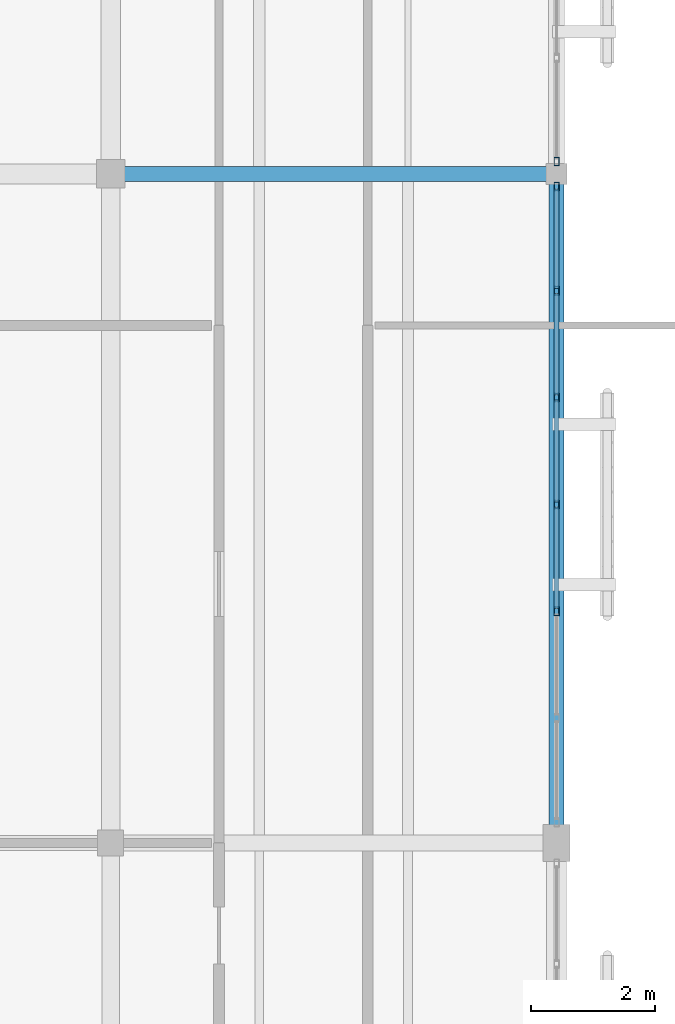
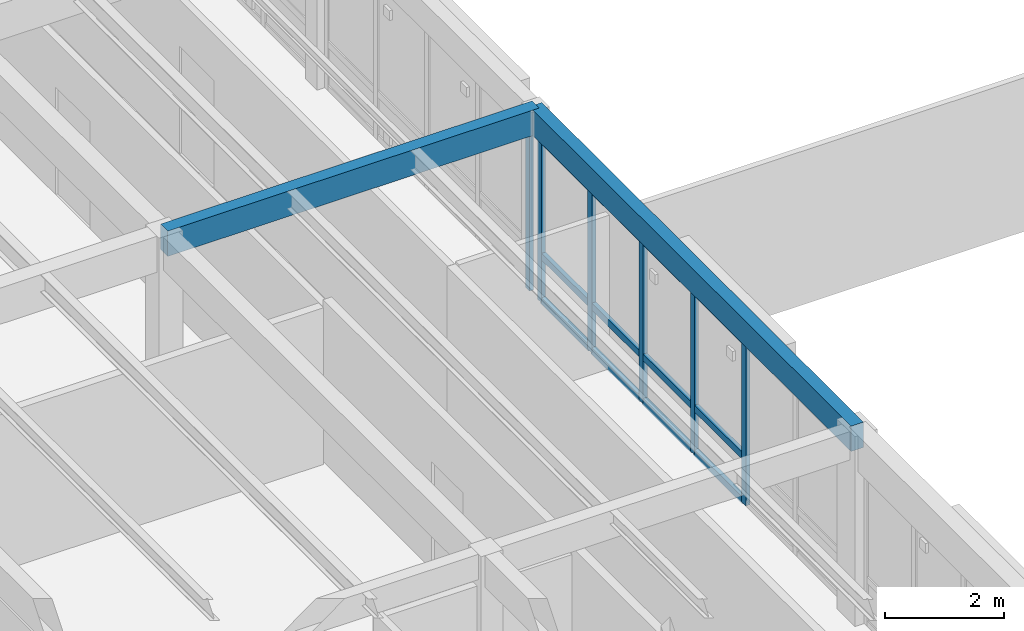
# One storey, part 30 of 217: 18 members, 2 beams, 2 elements without a shape of their own.
"""IFC4 building model written with IfcOpenShell, lengths in metres."""

from ifc_helpers import new_model, si_unit, direction, frame, origin, origin_2d, place, context, subcontext, project, spatial, rectangle, hollow_rectangle, extrude, material, layer, layer_set, material_profile, profile_set, type_object, element, aggregate, save


model = new_model("IFC4")

# Units and contexts
model_context = context("Model", 3, precision=1e-05, world=origin(), true_north=direction((0.0, 1.0)))
body_context = subcontext(model_context, "Body", "Model", "MODEL_VIEW")
ifc_project = project(units=[si_unit("LENGTHUNIT", "METRE"), si_unit("AREAUNIT", "SQUARE_METRE"), si_unit("VOLUMEUNIT", "CUBIC_METRE"), si_unit("PLANEANGLEUNIT", "RADIAN"), si_unit("MASSUNIT", "GRAM", prefix="KILO")], contexts=[model_context])

# Site, building, storey
site_placement = place(None, origin())
site = spatial("IfcSite", under=ifc_project, at=site_placement, CompositionType="ELEMENT")
building_placement = place(site_placement, origin())
building = spatial("IfcBuilding", under=site, at=building_placement, Name="Mazaris Harbour Polytechnic", CompositionType="ELEMENT")
storey_placement = place(building_placement, frame((0.0, 0.0, 9.60009765625)))
storey = spatial("IfcBuildingStorey", under=building, at=storey_placement, Name="L02", CompositionType="ELEMENT", Elevation=9.60009765625)

# Curtain wall, members
ifc_material_1 = material(Name="Anodised Bronze Aluminium and Low-E Glass", Category="aluminium")
ifc_layer = layer(ifc_material_1, 0.159912109375, Name="Anodised Bronze Aluminium and Low-E Glass")
ifc_layer_set = layer_set([ifc_layer], Name="Anodised Bronze Aluminium and Low-E Glass")
curtain_wall_type = type_object("IfcCurtainWallType", Name="Cloister Court Curtain Wall", PredefinedType="NOTDEFINED", material=ifc_layer_set)
curtain_wall_1_placement = place(storey_placement, origin())
curtain_wall_1 = element("IfcCurtainWall", 1, at=curtain_wall_1_placement, inside=storey, type_object=curtain_wall_type, Name="V4 L02 Curtain Wall 138", PredefinedType="NOTDEFINED")
ifc_material_2 = material(Name="Anodised Bronze Steel S355", Category="steel")
ifc_material_profile_1 = material_profile(ifc_material_2, hollow_rectangle(XDim=0.080078125, YDim=0.139892578125, WallThickness=0.00634765625, at=origin_2d()), Name="RHS 80x140x6.3")
ifc_profile_set_1 = profile_set([ifc_material_profile_1], Name="Anodised Bronze Steel S355")
member_type_1 = type_object("IfcMemberType", Name="Curtain Mullion RHS80x140", PredefinedType="MULLION", material=ifc_profile_set_1)
member_1_placement = place(storey_placement, frame((14.39990234375, 46.940673828125, 0.0), z_axis=(0.0, 0.0, 1.0), x_axis=(-1.0, 0.0, 0.0)))
member_1 = element("IfcMember", 2, at=member_1_placement, type_object=member_type_1, Name="CW-02 mullion 3", PredefinedType="MULLION", context=body_context, shape_type="SweptSolid", body=[
    extrude(hollow_rectangle(XDim=0.080078125, YDim=0.139892578125, WallThickness=0.00634765625, at=origin_2d()), origin(), (0.0, 0.0, 1.0), 3.35986328125),
])
member_2_placement = place(storey_placement, frame((14.39990234375, 48.6650390625, 0.0), z_axis=(0.0, 0.0, 1.0), x_axis=(-1.0, 0.0, 0.0)))
member_2 = element("IfcMember", 3, at=member_2_placement, type_object=member_type_1, Name="CW-02 mullion 4", PredefinedType="MULLION", context=body_context, shape_type="SweptSolid", body=[
    extrude(hollow_rectangle(XDim=0.080078125, YDim=0.139892578125, WallThickness=0.00634765625, at=origin_2d()), origin(), (0.0, 0.0, 1.0), 3.35986328125),
])
member_3_placement = place(storey_placement, frame((14.39990234375, 50.389404296875, 0.0), z_axis=(0.0, 0.0, 1.0), x_axis=(-1.0, 0.0, 0.0)))
member_3 = element("IfcMember", 4, at=member_3_placement, type_object=member_type_1, Name="CW-02 mullion 5", PredefinedType="MULLION", context=body_context, shape_type="SweptSolid", body=[
    extrude(hollow_rectangle(XDim=0.080078125, YDim=0.139892578125, WallThickness=0.00634765625, at=origin_2d()), origin(), (0.0, 0.0, 1.0), 3.35986328125),
])
member_4_placement = place(storey_placement, frame((14.39990234375, 52.11376953125, 0.0), z_axis=(0.0, 0.0, 1.0), x_axis=(-1.0, 0.0, 0.0)))
member_4 = element("IfcMember", 5, at=member_4_placement, type_object=member_type_1, Name="CW-02 mullion 6", PredefinedType="MULLION", context=body_context, shape_type="SweptSolid", body=[
    extrude(hollow_rectangle(XDim=0.080078125, YDim=0.139892578125, WallThickness=0.00634765625, at=origin_2d()), origin(), (0.0, 0.0, 1.0), 3.35986328125),
])
member_5_placement = place(storey_placement, frame((14.39990234375, 53.798095703125, 0.0), z_axis=(0.0, 0.0, 1.0), x_axis=(-1.0, 0.0, 0.0)))
member_5 = element("IfcMember", 6, at=member_5_placement, type_object=member_type_1, Name="CW-02 mullion 7", PredefinedType="MULLION", context=body_context, shape_type="SweptSolid", body=[
    extrude(hollow_rectangle(XDim=0.080078125, YDim=0.139892578125, WallThickness=0.00634765625, at=origin_2d()), origin(), (0.0, 0.0, 1.0), 3.35986328125),
])

# Curtain wall, member
curtain_wall_2_placement = place(storey_placement, origin())
curtain_wall_2 = element("IfcCurtainWall", 7, at=curtain_wall_2_placement, inside=storey, type_object=curtain_wall_type, Name="V4 L02 Curtain Wall 139", PredefinedType="NOTDEFINED")
member_6_placement = place(storey_placement, frame((14.39990234375, 54.201904296875, 0.0), z_axis=(0.0, 0.0, 1.0), x_axis=(-1.0, 0.0, 0.0)))
member_6 = element("IfcMember", 8, at=member_6_placement, type_object=member_type_1, Name="CW-02 mullion 1", PredefinedType="MULLION", context=body_context, shape_type="SweptSolid", body=[
    extrude(hollow_rectangle(XDim=0.080078125, YDim=0.139892578125, WallThickness=0.00634765625, at=origin_2d()), origin(), (0.0, 0.0, 1.0), 3.2998046875),
])
aggregate(curtain_wall_2, [member_6])

# Member
ifc_material_3 = material(Name="Anodised Bronze Steel S355", Category="steel")
ifc_material_profile_2 = material_profile(ifc_material_3, hollow_rectangle(XDim=0.080078125, YDim=0.139892578125, WallThickness=0.00634765625, at=origin_2d()), Name="RHS 80x140x6.3")
ifc_profile_set_2 = profile_set([ifc_material_profile_2], Name="Anodised Bronze Steel S355")
member_type_2 = type_object("IfcMemberType", Name="Curtain Transom RHS80x140", PredefinedType="USERDEFINED", material=ifc_profile_set_2)
member_7_placement = place(storey_placement, frame((14.39990234375, 46.980712890625, 0.039794921875), z_axis=(0.0, 1.0, 0.0), x_axis=(-1.0, 0.0, 0.0)))
member_7 = element("IfcMember", 9, at=member_7_placement, type_object=member_type_2, Name="CW-02 transom 3.1", ObjectType="TRANSOM", PredefinedType="USERDEFINED", context=body_context, shape_type="SweptSolid", body=[
    extrude(hollow_rectangle(XDim=0.080078125, YDim=0.139892578125, WallThickness=0.00634765625, at=origin_2d()), origin(), (0.0, 0.0, 1.0), 1.644287109375),
])

member_8_placement = place(storey_placement, frame((14.39990234375, 46.980712890625, 0.949951171875), z_axis=(0.0, 1.0, 0.0), x_axis=(-1.0, 0.0, 0.0)))
member_8 = element("IfcMember", 10, at=member_8_placement, type_object=member_type_2, Name="CW-02 transom 3.2", ObjectType="TRANSOM", PredefinedType="USERDEFINED", context=body_context, shape_type="SweptSolid", body=[
    extrude(hollow_rectangle(XDim=0.080078125, YDim=0.139892578125, WallThickness=0.00634765625, at=origin_2d()), origin(), (0.0, 0.0, 1.0), 1.644287109375),
])

member_9_placement = place(storey_placement, frame((14.39990234375, 46.980712890625, 3.31982421875), z_axis=(0.0, 1.0, 0.0), x_axis=(-1.0, 0.0, 0.0)))
member_9 = element("IfcMember", 11, at=member_9_placement, type_object=member_type_2, Name="CW-02 transom 3.3", ObjectType="TRANSOM", PredefinedType="USERDEFINED", context=body_context, shape_type="SweptSolid", body=[
    extrude(hollow_rectangle(XDim=0.080078125, YDim=0.139892578125, WallThickness=0.00634765625, at=origin_2d()), origin(), (0.0, 0.0, 1.0), 1.644287109375),
])

member_10_placement = place(storey_placement, frame((14.39990234375, 48.705078125, 0.039794921875), z_axis=(0.0, 1.0, 0.0), x_axis=(-1.0, 0.0, 0.0)))
member_10 = element("IfcMember", 12, at=member_10_placement, type_object=member_type_2, Name="CW-02 transom 4.1", ObjectType="TRANSOM", PredefinedType="USERDEFINED", context=body_context, shape_type="SweptSolid", body=[
    extrude(hollow_rectangle(XDim=0.080078125, YDim=0.139892578125, WallThickness=0.00634765625, at=origin_2d()), origin(), (0.0, 0.0, 1.0), 1.644287109375),
])

member_11_placement = place(storey_placement, frame((14.39990234375, 48.705078125, 0.949951171875), z_axis=(0.0, 1.0, 0.0), x_axis=(-1.0, 0.0, 0.0)))
member_11 = element("IfcMember", 13, at=member_11_placement, type_object=member_type_2, Name="CW-02 transom 4.2", ObjectType="TRANSOM", PredefinedType="USERDEFINED", context=body_context, shape_type="SweptSolid", body=[
    extrude(hollow_rectangle(XDim=0.080078125, YDim=0.139892578125, WallThickness=0.00634765625, at=origin_2d()), origin(), (0.0, 0.0, 1.0), 1.644287109375),
])

member_12_placement = place(storey_placement, frame((14.39990234375, 48.705078125, 3.31982421875), z_axis=(0.0, 1.0, 0.0), x_axis=(-1.0, 0.0, 0.0)))
member_12 = element("IfcMember", 14, at=member_12_placement, type_object=member_type_2, Name="CW-02 transom 4.3", ObjectType="TRANSOM", PredefinedType="USERDEFINED", context=body_context, shape_type="SweptSolid", body=[
    extrude(hollow_rectangle(XDim=0.080078125, YDim=0.139892578125, WallThickness=0.00634765625, at=origin_2d()), origin(), (0.0, 0.0, 1.0), 1.644287109375),
])

member_13_placement = place(storey_placement, frame((14.39990234375, 50.429443359375, 0.039794921875), z_axis=(0.0, 1.0, 0.0), x_axis=(-1.0, 0.0, 0.0)))
member_13 = element("IfcMember", 15, at=member_13_placement, type_object=member_type_2, Name="CW-02 transom 5.1", ObjectType="TRANSOM", PredefinedType="USERDEFINED", context=body_context, shape_type="SweptSolid", body=[
    extrude(hollow_rectangle(XDim=0.080078125, YDim=0.139892578125, WallThickness=0.00634765625, at=origin_2d()), origin(), (0.0, 0.0, 1.0), 1.644287109375),
])

member_14_placement = place(storey_placement, frame((14.39990234375, 50.429443359375, 0.949951171875), z_axis=(0.0, 1.0, 0.0), x_axis=(-1.0, 0.0, 0.0)))
member_14 = element("IfcMember", 16, at=member_14_placement, type_object=member_type_2, Name="CW-02 transom 5.2", ObjectType="TRANSOM", PredefinedType="USERDEFINED", context=body_context, shape_type="SweptSolid", body=[
    extrude(hollow_rectangle(XDim=0.080078125, YDim=0.139892578125, WallThickness=0.00634765625, at=origin_2d()), origin(), (0.0, 0.0, 1.0), 1.644287109375),
])

member_15_placement = place(storey_placement, frame((14.39990234375, 50.429443359375, 3.31982421875), z_axis=(0.0, 1.0, 0.0), x_axis=(-1.0, 0.0, 0.0)))
member_15 = element("IfcMember", 17, at=member_15_placement, type_object=member_type_2, Name="CW-02 transom 5.3", ObjectType="TRANSOM", PredefinedType="USERDEFINED", context=body_context, shape_type="SweptSolid", body=[
    extrude(hollow_rectangle(XDim=0.080078125, YDim=0.139892578125, WallThickness=0.00634765625, at=origin_2d()), origin(), (0.0, 0.0, 1.0), 1.644287109375),
])

member_16_placement = place(storey_placement, frame((14.39990234375, 52.153564453125, 0.039794921875), z_axis=(0.0, 1.0, 0.0), x_axis=(-1.0, 0.0, 0.0)))
member_16 = element("IfcMember", 18, at=member_16_placement, type_object=member_type_2, Name="CW-02 transom 6.1", ObjectType="TRANSOM", PredefinedType="USERDEFINED", context=body_context, shape_type="SweptSolid", body=[
    extrude(hollow_rectangle(XDim=0.080078125, YDim=0.139892578125, WallThickness=0.00634765625, at=origin_2d()), origin(), (0.0, 0.0, 1.0), 1.6044921875),
])

member_17_placement = place(storey_placement, frame((14.39990234375, 52.153564453125, 0.949951171875), z_axis=(0.0, 1.0, 0.0), x_axis=(-1.0, 0.0, 0.0)))
member_17 = element("IfcMember", 19, at=member_17_placement, type_object=member_type_2, Name="CW-02 transom 6.2", ObjectType="TRANSOM", PredefinedType="USERDEFINED", context=body_context, shape_type="SweptSolid", body=[
    extrude(hollow_rectangle(XDim=0.080078125, YDim=0.139892578125, WallThickness=0.00634765625, at=origin_2d()), origin(), (0.0, 0.0, 1.0), 1.6044921875),
])

member_18_placement = place(storey_placement, frame((14.39990234375, 52.153564453125, 3.31982421875), z_axis=(0.0, 1.0, 0.0), x_axis=(-1.0, 0.0, 0.0)))
member_18 = element("IfcMember", 20, at=member_18_placement, type_object=member_type_2, Name="CW-02 transom 6.3", ObjectType="TRANSOM", PredefinedType="USERDEFINED", context=body_context, shape_type="SweptSolid", body=[
    extrude(hollow_rectangle(XDim=0.080078125, YDim=0.139892578125, WallThickness=0.00634765625, at=origin_2d()), origin(), (0.0, 0.0, 1.0), 1.6044921875),
])

aggregate(curtain_wall_1, [member_1, member_2, member_3, member_4, member_5, member_7, member_8, member_9, member_10, member_11, member_12, member_13, member_14, member_15, member_16, member_17, member_18])

# Beams
ifc_material_4 = material(Name="Glulam GL32h", Category="wood")
ifc_material_profile_3 = material_profile(ifc_material_4, rectangle(XDim=0.239990234375, YDim=0.52001953125, at=origin_2d()), Name="RECT240x520")
ifc_profile_set_3 = profile_set([ifc_material_profile_3], Name="Glulam GL32h")
beam_type = type_object("IfcBeamType", Name="Glulam Girder 240x520", PredefinedType="BEAM", material=ifc_profile_set_3)
beam_1_placement = place(storey_placement, frame((7.199951171875, 54.0, 3.6298828125), z_axis=(1.0, 0.0, 0.0), x_axis=(0.0, 1.0, 0.0)))
element("IfcBeam", 21, at=beam_1_placement, inside=storey, type_object=beam_type, Name="V4 L02 Girder 1930", PredefinedType="BEAM", context=body_context, shape_type="SweptSolid", body=[
    extrude(rectangle(XDim=0.239990234375, YDim=0.52001953125, at=origin_2d()), origin(), (0.0, 0.0, 1.0), 7.199951171875),
])
beam_2_placement = place(storey_placement, frame((14.39990234375, 43.199951171875, 3.6298828125), z_axis=(0.0, 1.0, 0.0), x_axis=(-1.0, 0.0, 0.0)))
element("IfcBeam", 22, at=beam_2_placement, inside=storey, type_object=beam_type, Name="V4 L02 Tie Girder 1995", PredefinedType="BEAM", context=body_context, shape_type="SweptSolid", body=[
    extrude(rectangle(XDim=0.239990234375, YDim=0.52001953125, at=origin_2d()), origin(), (0.0, 0.0, 1.0), 10.800048828125),
])

save(model, "model.ifc")
